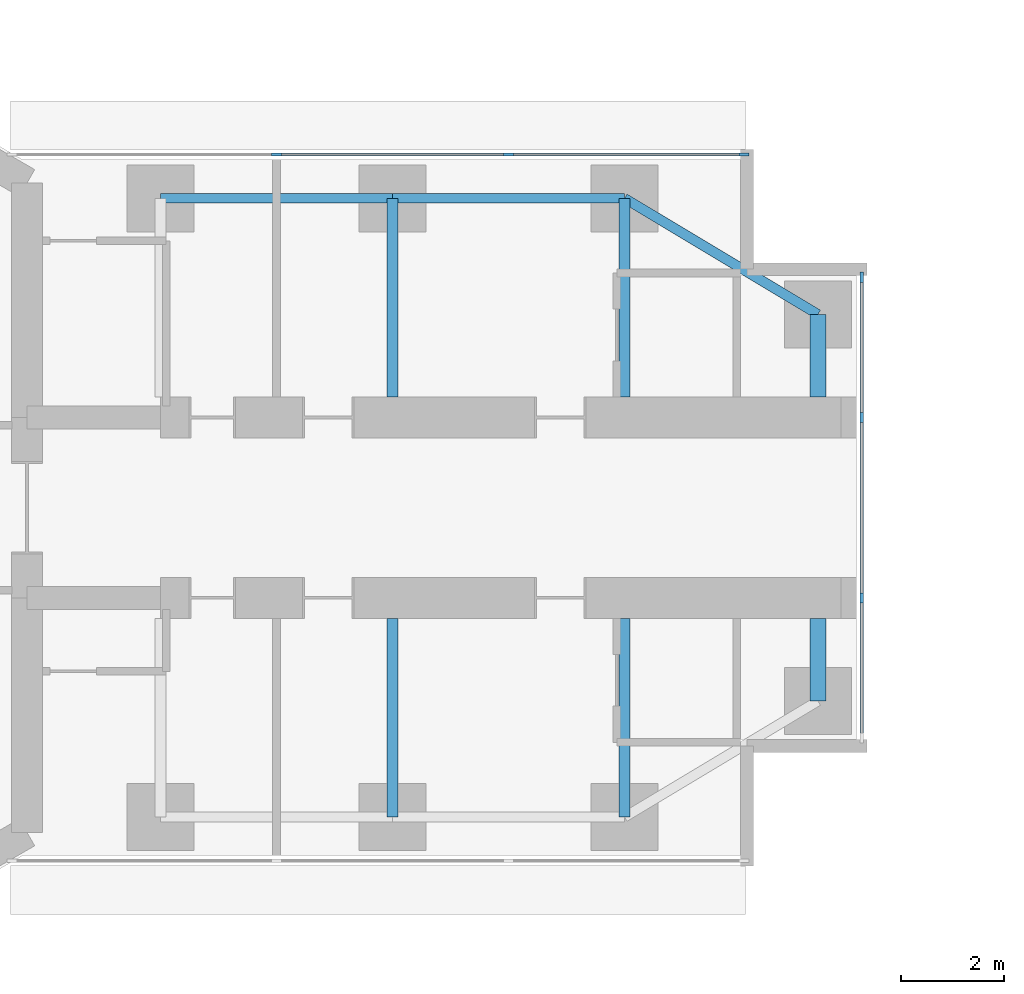
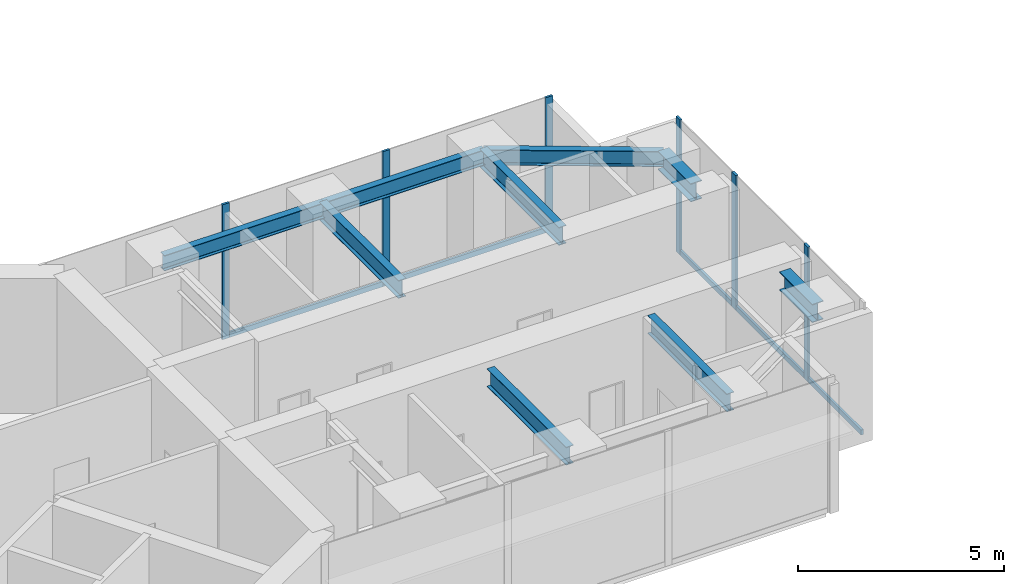
# One storey, part 7 of 22: 11 members, 9 beams, 2 elements without a shape of their own.
"""IFC4 building model written with IfcOpenShell, lengths in metres."""

from ifc_helpers import new_model, si_unit, direction, frame, origin, origin_2d, place, context, subcontext, project, spatial, rectangle, i_section, extrude, material, material_profile, profile_set, type_object, element, aggregate, save


model = new_model("IFC4")

# Units and contexts
model_context = context("Model", 3, precision=1e-05, world=origin(), true_north=direction((0.0, 1.0)))
body_context = subcontext(model_context, "Body", "Model", "MODEL_VIEW")
ifc_project = project(units=[si_unit("LENGTHUNIT", "METRE"), si_unit("AREAUNIT", "SQUARE_METRE"), si_unit("VOLUMEUNIT", "CUBIC_METRE"), si_unit("PLANEANGLEUNIT", "RADIAN"), si_unit("MASSUNIT", "GRAM", prefix="KILO")], contexts=[model_context])

# Site, building, storey
site_placement = place(None, origin())
site = spatial("IfcSite", under=ifc_project, at=site_placement, CompositionType="ELEMENT")
building_placement = place(site_placement, origin())
building = spatial("IfcBuilding", under=site, at=building_placement, Name="Upepo Twin Towers", CompositionType="ELEMENT")
storey_placement = place(building_placement, frame((0.0, 0.0, 121.5)))
storey = spatial("IfcBuildingStorey", under=building, at=storey_placement, Name="L29", CompositionType="ELEMENT", Elevation=121.5)

# Beams
ifc_material_1 = material(Name="Steel S355", Category="steel")
ifc_material_profile_1 = material_profile(ifc_material_1, i_section(OverallWidth=0.1904296875, OverallDepth=0.45703125, WebThickness=0.009033203125, FlangeThickness=0.014404296875, FilletRadius=0.01025390625, at=origin_2d()), Name="UB 457x191x74")
ifc_profile_set_1 = profile_set([ifc_material_profile_1], Name="Steel S355")
beam_type_1 = type_object("IfcBeamType", Name="Beam UB 457x191x74", PredefinedType="BEAM", material=ifc_profile_set_1)
for number, where, z_axis, x_axis, name in (
    (1, (13.5, 6.0, 3.571533203125), (1.0, 0.0, 0.0), (0.0, 1.0, 0.0), "T1 edge beam AL 13.5-18.0"),
    (2, (18.0, 6.0, 3.571533203125), (1.0, 0.0, 0.0), (0.0, 1.0, 0.0), "T1 edge beam AL 18.0-22.5"),
):
    element("IfcBeam", number, at=place(storey_placement, frame(where, z_axis=z_axis, x_axis=x_axis)), inside=storey, type_object=beam_type_1, Name=name, PredefinedType="BEAM", context=body_context, shape_type="SweptSolid", body=[
        extrude(i_section(OverallWidth=0.1904296875, OverallDepth=0.45703125, WebThickness=0.009033203125, FlangeThickness=0.014404296875, FilletRadius=0.01025390625, at=origin_2d()), origin(), (0.0, 0.0, 1.0), 4.5),
    ])
beam_placement = place(storey_placement, frame((22.5, 6.0, 3.571533203125), z_axis=(0.857492925713, -0.514495755428, 0.0), x_axis=(0.514495755428, 0.857492925713, 0.0)))
element("IfcBeam", 3, at=beam_placement, inside=storey, type_object=beam_type_1, Name="T1 nose edge beam AL", PredefinedType="BEAM", context=body_context, shape_type="SweptSolid", body=[
    extrude(i_section(OverallWidth=0.1904296875, OverallDepth=0.45703125, WebThickness=0.009033203125, FlangeThickness=0.014404296875, FilletRadius=0.01025390625, at=origin_2d()), origin(), (0.0, 0.0, 1.0), 4.373291015625),
])
ifc_material_2 = material(Name="Steel S355", Category="steel")
ifc_material_profile_2 = material_profile(ifc_material_2, i_section(OverallWidth=0.209228515625, OverallDepth=0.533203125, WebThickness=0.010009765625, FlangeThickness=0.015625, FilletRadius=0.0126953125, at=origin_2d()), Name="UB 533x210x92")
ifc_profile_set_2 = profile_set([ifc_material_profile_2], Name="Steel S355")
beam_type_2 = type_object("IfcBeamType", Name="Beam UB 533x210x92", PredefinedType="BEAM", material=ifc_profile_set_2)
for number, where, z_axis, x_axis, name in (
    (4, (18.0, 6.0, 3.533447265625), (0.0, -1.0, 0.0), (1.0, 0.0, 0.0), "T1 girder AL at 18.0"),
    (5, (22.5, 6.0, 3.533447265625), (0.0, -1.0, 0.0), (1.0, 0.0, 0.0), "T1 girder AL at 22.5"),
    (6, (18.0, -6.0, 3.533447265625), (0.0, 1.0, 0.0), (-1.0, 0.0, 0.0), "T1 girder AR at 18.0"),
    (7, (22.5, -6.0, 3.533447265625), (0.0, 1.0, 0.0), (-1.0, 0.0, 0.0), "T1 girder AR at 22.5"),
):
    element("IfcBeam", number, at=place(storey_placement, frame(where, z_axis=z_axis, x_axis=x_axis)), inside=storey, type_object=beam_type_2, Name=name, PredefinedType="BEAM", context=body_context, shape_type="SweptSolid", body=[
        extrude(i_section(OverallWidth=0.209228515625, OverallDepth=0.533203125, WebThickness=0.010009765625, FlangeThickness=0.015625, FilletRadius=0.0126953125, at=origin_2d()), origin(), (0.0, 0.0, 1.0), 3.85009765625),
    ])
ifc_material_3 = material(Name="Steel S355", Category="steel")
ifc_material_profile_3 = material_profile(ifc_material_3, i_section(OverallWidth=0.31201171875, OverallDepth=0.54345703125, WebThickness=0.0126953125, FlangeThickness=0.020263671875, FilletRadius=0.0126953125, at=origin_2d()), Name="UB 533x312x150")
ifc_profile_set_3 = profile_set([ifc_material_profile_3], Name="Steel S355")
beam_type_3 = type_object("IfcBeamType", Name="Beam UB 533x312x150", PredefinedType="BEAM", material=ifc_profile_set_3)
for number, where, z_axis, x_axis, name in (
    (8, (26.25, 3.75, 3.5283203125), (0.0, -1.0, 0.0), (1.0, 0.0, 0.0), "T1 nose beam AL"),
    (9, (26.25, -3.75, 3.5283203125), (0.0, 1.0, 0.0), (-1.0, 0.0, 0.0), "T1 nose beam AR"),
):
    element("IfcBeam", number, at=place(storey_placement, frame(where, z_axis=z_axis, x_axis=x_axis)), inside=storey, type_object=beam_type_3, Name=name, PredefinedType="BEAM", context=body_context, shape_type="SweptSolid", body=[
        extrude(i_section(OverallWidth=0.31201171875, OverallDepth=0.54345703125, WebThickness=0.0126953125, FlangeThickness=0.020263671875, FilletRadius=0.0126953125, at=origin_2d()), origin(), (0.0, 0.0, 1.0), 1.60009765625),
    ])

# Curtain wall, members
ifc_material_4 = material(Name="Aluminium and fritted glass", Category="aluminium")
curtain_wall_type = type_object("IfcCurtainWallType", Name="Tower curtain wall TW2, fritted glass", PredefinedType="NOTDEFINED", material=ifc_material_4)
curtain_wall_1_placement = place(storey_placement, origin())
curtain_wall_1 = element("IfcCurtainWall", 10, at=curtain_wall_1_placement, inside=storey, type_object=curtain_wall_type, Name="T1 L29 wing A flank L curtain wall", PredefinedType="NOTDEFINED")
ifc_material_5 = material(Name="Aluminium mullion", Category="aluminium")
ifc_material_profile_4 = material_profile(ifc_material_5, rectangle(XDim=0.06494140625, YDim=0.199951171875, at=origin_2d()), Name="MULLION 65x200")
ifc_profile_set_4 = profile_set([ifc_material_profile_4], Name="Aluminium mullion")
member_type_1 = type_object("IfcMemberType", Name="Mullion 65x200 TW2", PredefinedType="MULLION", material=ifc_profile_set_4)
member_1_placement = place(storey_placement, frame((15.75, 6.85009765625, 0.0), z_axis=(0.0, 0.0, 1.0), x_axis=(0.0, 1.0, 0.0)))
member_1 = element("IfcMember", 11, at=member_1_placement, type_object=member_type_1, Name="T1 L29 wing A flank L curtain wall mullion 2", PredefinedType="MULLION", context=body_context, shape_type="SweptSolid", body=[
    extrude(rectangle(XDim=0.06494140625, YDim=0.199951171875, at=origin_2d()), origin(), (0.0, 0.0, 1.0), 4.0),
])
member_2_placement = place(storey_placement, frame((20.25, 6.85009765625, 0.0), z_axis=(0.0, 0.0, 1.0), x_axis=(0.0, 1.0, 0.0)))
member_2 = element("IfcMember", 12, at=member_2_placement, type_object=member_type_1, Name="T1 L29 wing A flank L curtain wall mullion 3", PredefinedType="MULLION", context=body_context, shape_type="SweptSolid", body=[
    extrude(rectangle(XDim=0.06494140625, YDim=0.199951171875, at=origin_2d()), origin(), (0.0, 0.0, 1.0), 4.0),
])
member_3_placement = place(storey_placement, frame((24.8173828125, 6.85009765625, 0.0), z_axis=(0.0, 0.0, 1.0), x_axis=(0.0, 1.0, 0.0)))
member_3 = element("IfcMember", 13, at=member_3_placement, type_object=member_type_1, Name="T1 L29 wing A flank L curtain wall mullion 4", PredefinedType="MULLION", context=body_context, shape_type="SweptSolid", body=[
    extrude(rectangle(XDim=0.06494140625, YDim=0.199951171875, at=origin_2d()), origin(), (0.0, 0.0, 1.0), 4.0),
])

curtain_wall_2_placement = place(storey_placement, origin())
curtain_wall_2 = element("IfcCurtainWall", 14, at=curtain_wall_2_placement, inside=storey, type_object=curtain_wall_type, Name="T1 L29 wing A nose curtain wall", PredefinedType="NOTDEFINED")
member_4_placement = place(storey_placement, frame((27.10009765625, -1.75, 0.0), z_axis=(0.0, 0.0, 1.0), x_axis=(-1.0, 0.0, 0.0)))
member_4 = element("IfcMember", 15, at=member_4_placement, type_object=member_type_1, Name="T1 L29 wing A nose curtain wall mullion 2", PredefinedType="MULLION", context=body_context, shape_type="SweptSolid", body=[
    extrude(rectangle(XDim=0.06494140625, YDim=0.199951171875, at=origin_2d()), origin(), (0.0, 0.0, 1.0), 4.0),
])
member_5_placement = place(storey_placement, frame((27.10009765625, 1.75, 0.0), z_axis=(0.0, 0.0, 1.0), x_axis=(-1.0, 0.0, 0.0)))
member_5 = element("IfcMember", 16, at=member_5_placement, type_object=member_type_1, Name="T1 L29 wing A nose curtain wall mullion 3", PredefinedType="MULLION", context=body_context, shape_type="SweptSolid", body=[
    extrude(rectangle(XDim=0.06494140625, YDim=0.199951171875, at=origin_2d()), origin(), (0.0, 0.0, 1.0), 4.0),
])
member_6_placement = place(storey_placement, frame((27.10009765625, 4.467529296875, 0.0), z_axis=(0.0, 0.0, 1.0), x_axis=(-1.0, 0.0, 0.0)))
member_6 = element("IfcMember", 17, at=member_6_placement, type_object=member_type_1, Name="T1 L29 wing A nose curtain wall mullion 4", PredefinedType="MULLION", context=body_context, shape_type="SweptSolid", body=[
    extrude(rectangle(XDim=0.06494140625, YDim=0.199951171875, at=origin_2d()), origin(), (0.0, 0.0, 1.0), 4.0),
])

# Member
ifc_material_6 = material(Name="Aluminium transom", Category="aluminium")
ifc_material_profile_5 = material_profile(ifc_material_6, rectangle(XDim=0.06494140625, YDim=0.14990234375, at=origin_2d()), Name="TRANSOM 65x150")
ifc_profile_set_5 = profile_set([ifc_material_profile_5], Name="Aluminium transom")
member_type_2 = type_object("IfcMemberType", Name="Transom 65x150 TW2", PredefinedType="USERDEFINED", material=ifc_profile_set_5)
member_7_placement = place(storey_placement, frame((15.782470703125, 6.85009765625, 0.074951171875), z_axis=(1.0, 0.0, 0.0), x_axis=(0.0, 1.0, 0.0)))
member_7 = element("IfcMember", 18, at=member_7_placement, type_object=member_type_2, Name="T1 L29 wing A flank L curtain wall transom 2", ObjectType="TRANSOM", PredefinedType="USERDEFINED", context=body_context, shape_type="SweptSolid", body=[
    extrude(rectangle(XDim=0.06494140625, YDim=0.14990234375, at=origin_2d()), origin(), (0.0, 0.0, 1.0), 4.43505859375),
])

member_8_placement = place(storey_placement, frame((20.282470703125, 6.85009765625, 0.074951171875), z_axis=(1.0, 0.0, 0.0), x_axis=(0.0, 1.0, 0.0)))
member_8 = element("IfcMember", 19, at=member_8_placement, type_object=member_type_2, Name="T1 L29 wing A flank L curtain wall transom 3", ObjectType="TRANSOM", PredefinedType="USERDEFINED", context=body_context, shape_type="SweptSolid", body=[
    extrude(rectangle(XDim=0.06494140625, YDim=0.14990234375, at=origin_2d()), origin(), (0.0, 0.0, 1.0), 4.50244140625),
])

aggregate(curtain_wall_1, [member_1, member_2, member_3, member_7, member_8])

member_9_placement = place(storey_placement, frame((27.10009765625, -4.43505859375, 0.074951171875), z_axis=(0.0, 1.0, 0.0), x_axis=(-1.0, 0.0, 0.0)))
member_9 = element("IfcMember", 20, at=member_9_placement, type_object=member_type_2, Name="T1 L29 wing A nose curtain wall transom 1", ObjectType="TRANSOM", PredefinedType="USERDEFINED", context=body_context, shape_type="SweptSolid", body=[
    extrude(rectangle(XDim=0.06494140625, YDim=0.14990234375, at=origin_2d()), origin(), (0.0, 0.0, 1.0), 2.652587890625),
])

member_10_placement = place(storey_placement, frame((27.10009765625, -1.717529296875, 0.074951171875), z_axis=(0.0, 1.0, 0.0), x_axis=(-1.0, 0.0, 0.0)))
member_10 = element("IfcMember", 21, at=member_10_placement, type_object=member_type_2, Name="T1 L29 wing A nose curtain wall transom 2", ObjectType="TRANSOM", PredefinedType="USERDEFINED", context=body_context, shape_type="SweptSolid", body=[
    extrude(rectangle(XDim=0.06494140625, YDim=0.14990234375, at=origin_2d()), origin(), (0.0, 0.0, 1.0), 3.43505859375),
])

member_11_placement = place(storey_placement, frame((27.10009765625, 1.782470703125, 0.074951171875), z_axis=(0.0, 1.0, 0.0), x_axis=(-1.0, 0.0, 0.0)))
member_11 = element("IfcMember", 22, at=member_11_placement, type_object=member_type_2, Name="T1 L29 wing A nose curtain wall transom 3", ObjectType="TRANSOM", PredefinedType="USERDEFINED", context=body_context, shape_type="SweptSolid", body=[
    extrude(rectangle(XDim=0.06494140625, YDim=0.14990234375, at=origin_2d()), origin(), (0.0, 0.0, 1.0), 2.652587890625),
])

aggregate(curtain_wall_2, [member_4, member_5, member_6, member_9, member_10, member_11])

save(model, "model.ifc")
